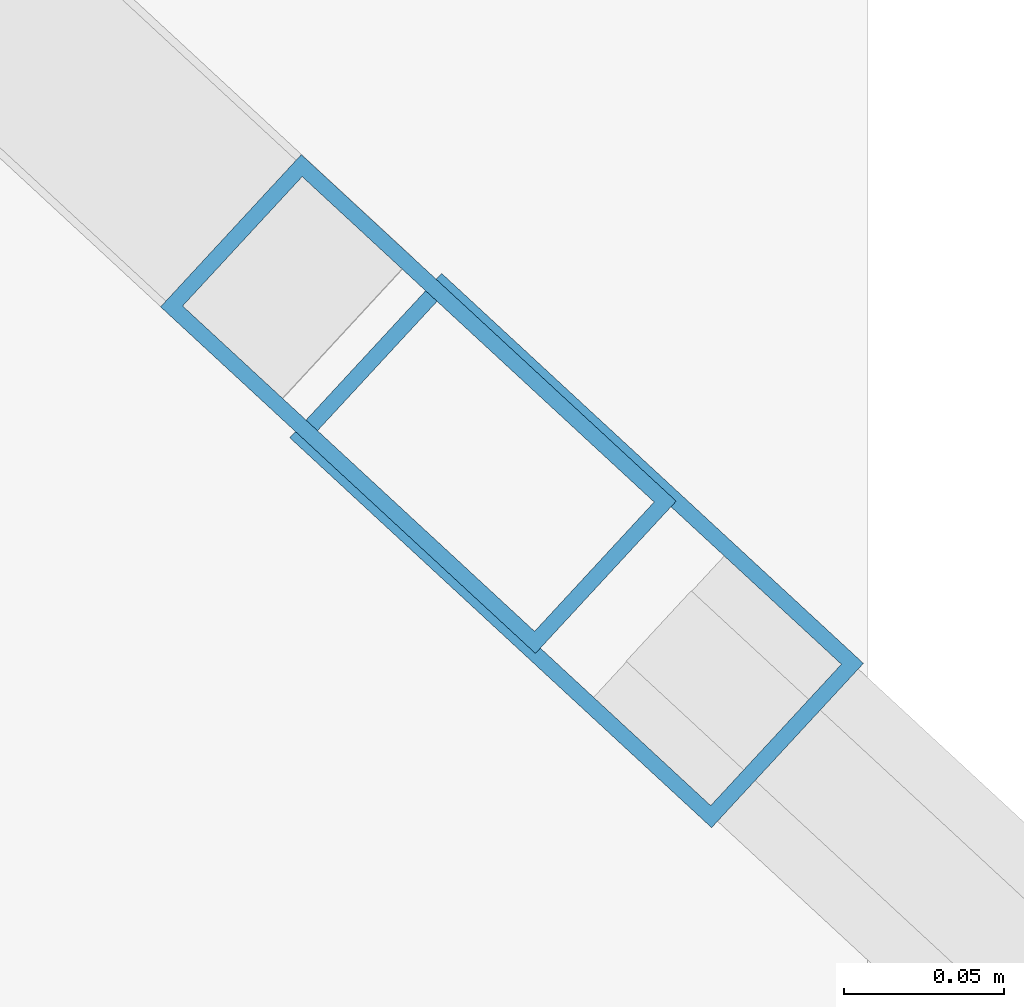
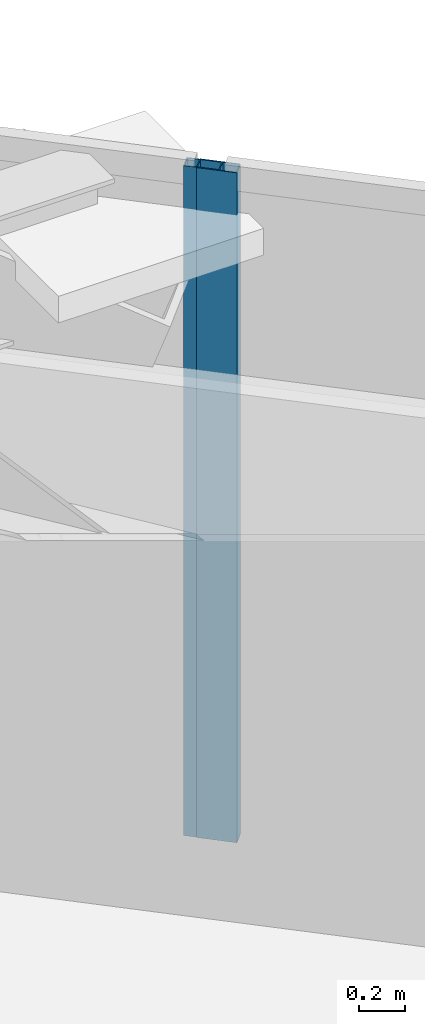
# One storey, part 10 of 23: 2 members, 2 elements without a shape of their own.
"""IFC4 building model written with IfcOpenShell, lengths in metres."""

from ifc_helpers import new_model, si_unit, direction, frame, origin, origin_2d, place, context, subcontext, project, spatial, hollow_rectangle, extrude, material, layer, layer_set, material_profile, profile_set, type_object, element, aggregate, save


model = new_model("IFC4")

# Units and contexts
model_context = context("Model", 3, precision=1e-05, world=origin(), true_north=direction((0.0, 1.0)))
body_context = subcontext(model_context, "Body", "Model", "MODEL_VIEW")
ifc_project = project(units=[si_unit("LENGTHUNIT", "METRE"), si_unit("AREAUNIT", "SQUARE_METRE"), si_unit("VOLUMEUNIT", "CUBIC_METRE"), si_unit("PLANEANGLEUNIT", "RADIAN"), si_unit("MASSUNIT", "GRAM", prefix="KILO")], contexts=[model_context])

# Site, building, storey
site_placement = place(None, origin())
site = spatial("IfcSite", under=ifc_project, at=site_placement, CompositionType="ELEMENT")
building_placement = place(site_placement, origin())
building = spatial("IfcBuilding", under=site, at=building_placement, Name="Qianvela Tower", CompositionType="ELEMENT")
storey_placement = place(building_placement, frame((0.0, 0.0, 67.300048828125)))
storey = spatial("IfcBuildingStorey", under=building, at=storey_placement, Name="L16", CompositionType="ELEMENT", Elevation=67.300048828125)

# Curtain wall, member
ifc_material_1 = material(Name="Anodised Architectural Aluminium and Insulated Spandrel Panel", Category="aluminium")
ifc_layer_1 = layer(ifc_material_1, 0.179931640625)
ifc_layer_set_1 = layer_set([ifc_layer_1], Name="Anodised Architectural Aluminium and Insulated Spandrel Panel")
curtain_wall_type_1 = type_object("IfcCurtainWallType", Name="CW-BRACEBAY", PredefinedType="USERDEFINED", material=ifc_layer_set_1)
curtain_wall_1_placement = place(storey_placement, origin())
curtain_wall_1 = element("IfcCurtainWall", 1, at=curtain_wall_1_placement, inside=storey, type_object=curtain_wall_type_1, Name="L16 CW-BRACEBAY Curtain Wall 02B", ObjectType="CURTAIN_WALL_SYSTEM", PredefinedType="USERDEFINED")
ifc_material_2 = material(Name="Anodised Architectural Aluminium 6063-T6", Category="aluminium")
ifc_material_profile_1 = material_profile(ifc_material_2, hollow_rectangle(XDim=0.06494140625, YDim=0.159912109375, WallThickness=0.0048828125, at=origin_2d()), Name="ALU-MULL-65x160")
ifc_profile_set_1 = profile_set([ifc_material_profile_1], Name="Anodised Architectural Aluminium 6063-T6")
member_type_1 = type_object("IfcMemberType", Name="CW-BRACEBAY-MULL", PredefinedType="MULLION", material=ifc_profile_set_1)
member_1_placement = place(storey_placement, frame((48.455322265625, 33.808837890625, 0.0), z_axis=(0.0, 0.0, 1.0), x_axis=(-0.678836907887, -0.734289079648, 0.0)))
member_1 = element("IfcMember", 2, at=member_1_placement, type_object=member_type_1, Name="CW-9 mullion 1", PredefinedType="MULLION", context=body_context, shape_type="SweptSolid", body=[
    extrude(hollow_rectangle(XDim=0.06494140625, YDim=0.159912109375, WallThickness=0.0048828125, at=origin_2d()), origin(), (0.0, 0.0, 1.0), 3.52001953125),
])
aggregate(curtain_wall_1, [member_1])

ifc_material_3 = material(Name="Anodised Architectural Aluminium and Low-E Glass", Category="aluminium")
ifc_layer_2 = layer(ifc_material_3, 0.179931640625)
ifc_layer_set_2 = layer_set([ifc_layer_2], Name="Anodised Architectural Aluminium and Low-E Glass")
curtain_wall_type_2 = type_object("IfcCurtainWallType", Name="CW-COLIV-Z12", PredefinedType="USERDEFINED", material=ifc_layer_set_2)
curtain_wall_2_placement = place(storey_placement, origin())
curtain_wall_2 = element("IfcCurtainWall", 3, at=curtain_wall_2_placement, inside=storey, type_object=curtain_wall_type_2, Name="L16 CW-COLIV-Z12 Curtain Wall 02A", ObjectType="CURTAIN_WALL_SYSTEM", PredefinedType="USERDEFINED")
ifc_material_4 = material(Name="Anodised Architectural Aluminium 6063-T6", Category="aluminium")
ifc_material_profile_2 = material_profile(ifc_material_4, hollow_rectangle(XDim=0.070068359375, YDim=0.179931640625, WallThickness=0.0048828125, at=origin_2d()), Name="ALU-MULL-70x180")
ifc_profile_set_2 = profile_set([ifc_material_profile_2], Name="Anodised Architectural Aluminium 6063-T6")
member_type_2 = type_object("IfcMemberType", Name="CW-COLIV-Z12-MULL", PredefinedType="MULLION", material=ifc_profile_set_2)
member_2_placement = place(storey_placement, frame((48.5048828125, 33.762939453125, 0.0), z_axis=(0.0, 0.0, 1.0), x_axis=(-0.678843016843, -0.734283431982, 0.0)))
member_2 = element("IfcMember", 4, at=member_2_placement, type_object=member_type_2, Name="CW-3 mullion 3", PredefinedType="MULLION", context=body_context, shape_type="SweptSolid", body=[
    extrude(hollow_rectangle(XDim=0.070068359375, YDim=0.179931640625, WallThickness=0.0048828125, at=origin_2d()), origin(), (0.0, 0.0, 1.0), 3.52001953125),
])
aggregate(curtain_wall_2, [member_2])

save(model, "model.ifc")
